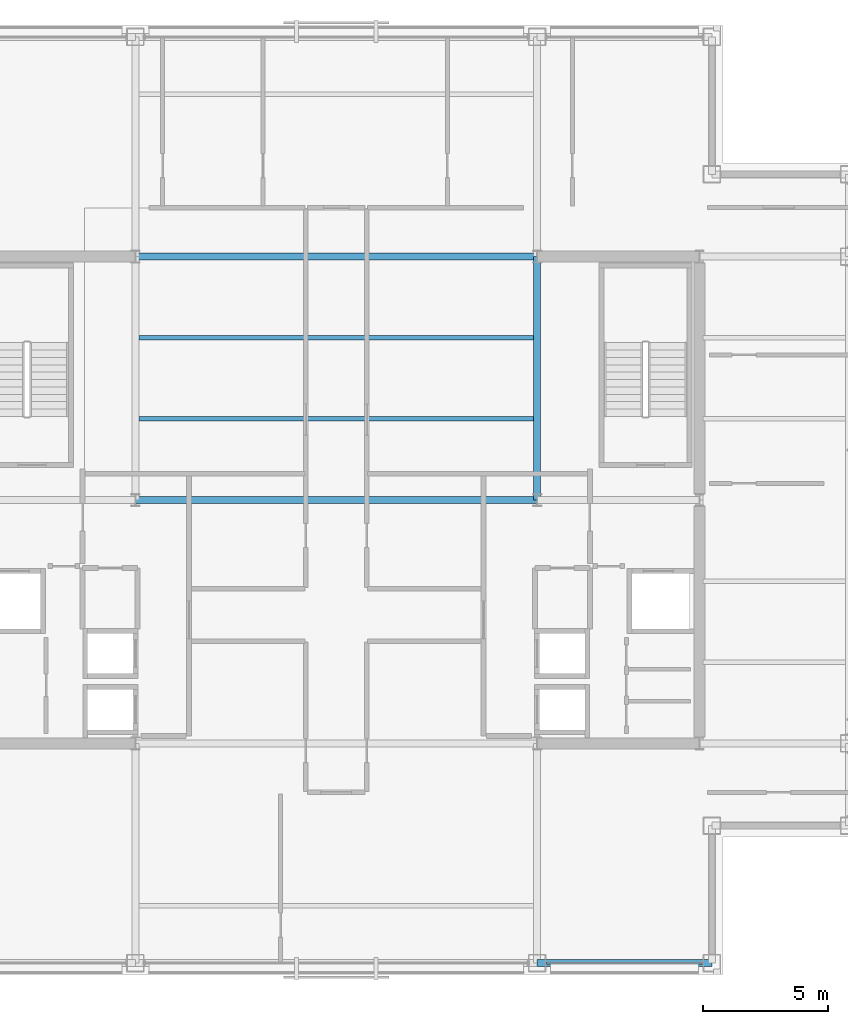
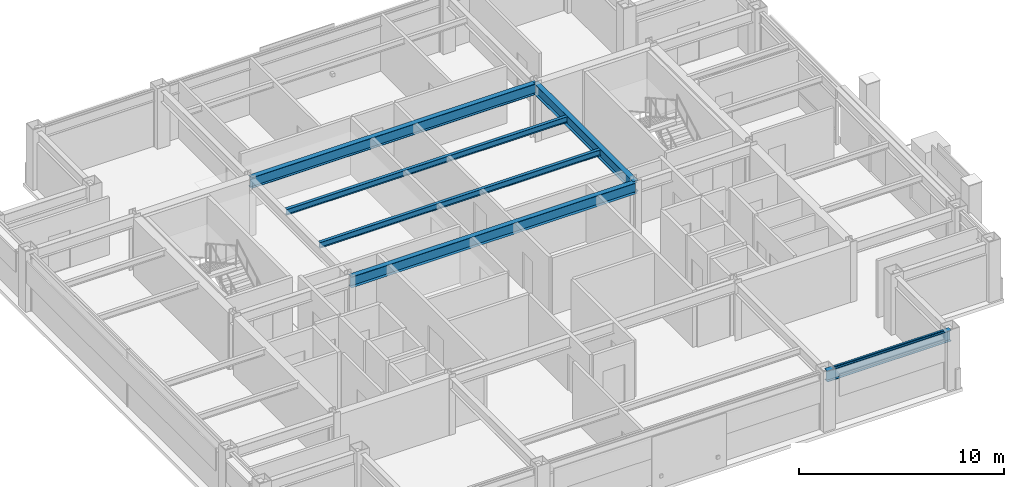
# One storey, part 11 of 30: 6 beams, 1 member, 1 element without a shape of its own.
"""IFC4 building model written with IfcOpenShell, lengths in metres."""

from ifc_helpers import new_model, si_unit, direction, frame, origin, origin_2d, place, context, subcontext, project, spatial, hollow_rectangle, i_section, extrude, material, layer, layer_set, material_profile, profile_set, type_object, element, aggregate, save


model = new_model("IFC4")

# Units and contexts
model_context = context("Model", 3, precision=1e-05, world=origin(), true_north=direction((0.0, 1.0)))
body_context = subcontext(model_context, "Body", "Model", "MODEL_VIEW")
ifc_project = project(units=[si_unit("LENGTHUNIT", "METRE"), si_unit("AREAUNIT", "SQUARE_METRE"), si_unit("VOLUMEUNIT", "CUBIC_METRE"), si_unit("PLANEANGLEUNIT", "RADIAN"), si_unit("MASSUNIT", "GRAM", prefix="KILO")], contexts=[model_context])

# Site, building, storey
site_placement = place(None, origin())
site = spatial("IfcSite", under=ifc_project, at=site_placement, CompositionType="ELEMENT")
building_placement = place(site_placement, origin())
building = spatial("IfcBuilding", under=site, at=building_placement, Name="Brelmoor Portico Tower", CompositionType="ELEMENT")
storey_placement = place(building_placement, frame((0.0, 0.0, 198.300048828125)))
storey = spatial("IfcBuildingStorey", under=building, at=storey_placement, Name="L52", CompositionType="ELEMENT", Elevation=198.300048828125)

# Beams
ifc_material_1 = material(Name="Steel Q355B", Category="steel")
ifc_material_profile_1 = material_profile(ifc_material_1, i_section(OverallWidth=0.175048828125, OverallDepth=0.35009765625, WebThickness=0.007080078125, FlangeThickness=0.010986328125, at=origin_2d()), Name="HN 350x175x7x11")
ifc_profile_set_1 = profile_set([ifc_material_profile_1], Name="Steel Q355B")
beam_type_1 = type_object("IfcBeamType", Name="BM-JS-350", PredefinedType="JOIST", material=ifc_profile_set_1)
for number, where, z_axis, x_axis, name in (
    (1, (-7.909912109375, 3.25, 3.224853515625), (1.0, 0.0, 0.0), (0.0, 1.0, 0.0), "L52 Secondary Composite Joist JS-C02"),
    (2, (-7.909912109375, 6.5, 3.224853515625), (1.0, 0.0, 0.0), (0.0, 1.0, 0.0), "L52 Secondary Composite Joist JS-C03"),
):
    element("IfcBeam", number, at=place(storey_placement, frame(where, z_axis=z_axis, x_axis=x_axis)), inside=storey, type_object=beam_type_1, Name=name, PredefinedType="JOIST", context=body_context, shape_type="SweptSolid", body=[
        extrude(i_section(OverallWidth=0.175048828125, OverallDepth=0.35009765625, WebThickness=0.007080078125, FlangeThickness=0.010986328125, at=origin_2d()), origin(), (0.0, 0.0, 1.0), 15.81982421875),
    ])
ifc_material_profile_2 = material_profile(ifc_material_1, i_section(OverallWidth=0.280029296875, OverallDepth=0.64990234375, WebThickness=0.012939453125, FlangeThickness=0.02197265625, at=origin_2d()), Name="HN 650x280x13x22")
ifc_profile_set_2 = profile_set([ifc_material_profile_2], Name="Steel Q355B")
beam_type_2 = type_object("IfcBeamType", Name="BM-PG-650", PredefinedType="BEAM", material=ifc_profile_set_2)
beam_1_placement = place(storey_placement, frame((8.050048828125, 0.0, 3.074951171875), z_axis=(0.0, 1.0, 0.0), x_axis=(-1.0, 0.0, 0.0)))
element("IfcBeam", 3, at=beam_1_placement, inside=storey, type_object=beam_type_2, Name="L52 Primary Floor Girder PG-07", PredefinedType="BEAM", context=body_context, shape_type="SweptSolid", body=[
    extrude(i_section(OverallWidth=0.280029296875, OverallDepth=0.64990234375, WebThickness=0.012939453125, FlangeThickness=0.02197265625, at=origin_2d()), origin(), (0.0, 0.0, 1.0), 9.75),
])
for number, where, z_axis, x_axis, name in (
    (4, (-8.050048828125, 0.0, 3.074951171875), (1.0, 0.0, 0.0), (0.0, 1.0, 0.0), "L52 Primary Floor Girder PG-17"),
    (5, (-8.050048828125, 9.75, 3.074951171875), (1.0, 0.0, 0.0), (0.0, 1.0, 0.0), "L52 Primary Floor Girder PG-21"),
):
    element("IfcBeam", number, at=place(storey_placement, frame(where, z_axis=z_axis, x_axis=x_axis)), inside=storey, type_object=beam_type_2, Name=name, PredefinedType="BEAM", context=body_context, shape_type="SweptSolid", body=[
        extrude(i_section(OverallWidth=0.280029296875, OverallDepth=0.64990234375, WebThickness=0.012939453125, FlangeThickness=0.02197265625, at=origin_2d()), origin(), (0.0, 0.0, 1.0), 16.10009765625),
    ])
ifc_material_profile_3 = material_profile(ifc_material_1, i_section(OverallWidth=0.280029296875, OverallDepth=0.64990234375, WebThickness=0.012939453125, FlangeThickness=0.02197265625, at=origin_2d()), Name="HN 650x280x13x22")
ifc_profile_set_3 = profile_set([ifc_material_profile_3], Name="Steel Q355B")
beam_type_3 = type_object("IfcBeamType", Name="BM-SP-650", PredefinedType="SPANDREL", material=ifc_profile_set_3)
beam_2_placement = place(storey_placement, frame((8.050048828125, -18.550048828125, 3.074951171875), z_axis=(1.0, 0.0, 0.0), x_axis=(0.0, 1.0, 0.0)))
element("IfcBeam", 6, at=beam_2_placement, inside=storey, type_object=beam_type_3, Name="L52 Perimeter Spandrel Beam SP-03", PredefinedType="SPANDREL", context=body_context, shape_type="SweptSolid", body=[
    extrude(i_section(OverallWidth=0.280029296875, OverallDepth=0.64990234375, WebThickness=0.012939453125, FlangeThickness=0.02197265625, at=origin_2d()), origin(), (0.0, 0.0, 1.0), 7.0),
])

# Curtain wall, member
ifc_material_2 = material(Name="Anodised Aluminium Alloy 6063-T6", Category="aluminium")
ifc_layer = layer(ifc_material_2, 0.179931640625)
ifc_layer_set = layer_set([ifc_layer], Name="Anodised Aluminium Alloy 6063-T6")
curtain_wall_type = type_object("IfcCurtainWallType", Name="CW-TOWER-Z3-XB", PredefinedType="NOTDEFINED", material=ifc_layer_set)
curtain_wall_placement = place(storey_placement, origin())
curtain_wall = element("IfcCurtainWall", 7, at=curtain_wall_placement, inside=storey, type_object=curtain_wall_type, Name="L52 Curtain Wall CW-L52-01-3", PredefinedType="NOTDEFINED")
ifc_material_profile_4 = material_profile(ifc_material_2, hollow_rectangle(XDim=0.06005859375, YDim=0.125, WallThickness=0.00341796875, at=origin_2d()), Name="ALU TRANSOM 60x125")
ifc_profile_set_4 = profile_set([ifc_material_profile_4], Name="Anodised Aluminium Alloy 6063-T6")
member_type = type_object("IfcMemberType", Name="MB-CW-TRAN-125", PredefinedType="USERDEFINED", material=ifc_profile_set_4)
member_placement = place(storey_placement, frame((8.409912109375, -18.550048828125, 3.33740234375), z_axis=(1.0, 0.0, 0.0), x_axis=(0.0, 1.0, 0.0)))
member = element("IfcMember", 8, at=member_placement, type_object=member_type, Name="CW-L52-01-3 Transom 1-00", ObjectType="TRANSOM", PredefinedType="USERDEFINED", context=body_context, shape_type="SweptSolid", body=[
    extrude(hollow_rectangle(XDim=0.06005859375, YDim=0.125, WallThickness=0.00341796875, at=origin_2d()), origin(), (0.0, 0.0, 1.0), 6.280029296875),
])
aggregate(curtain_wall, [member])

save(model, "model.ifc")
